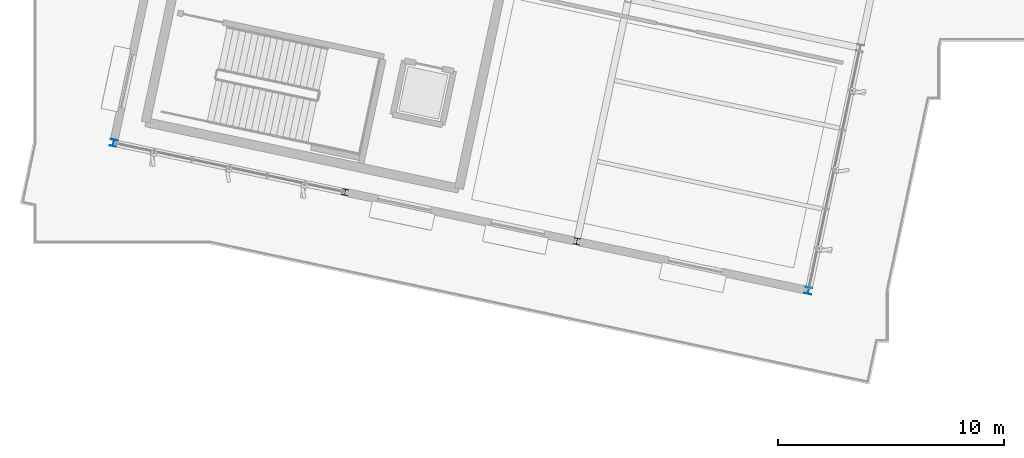
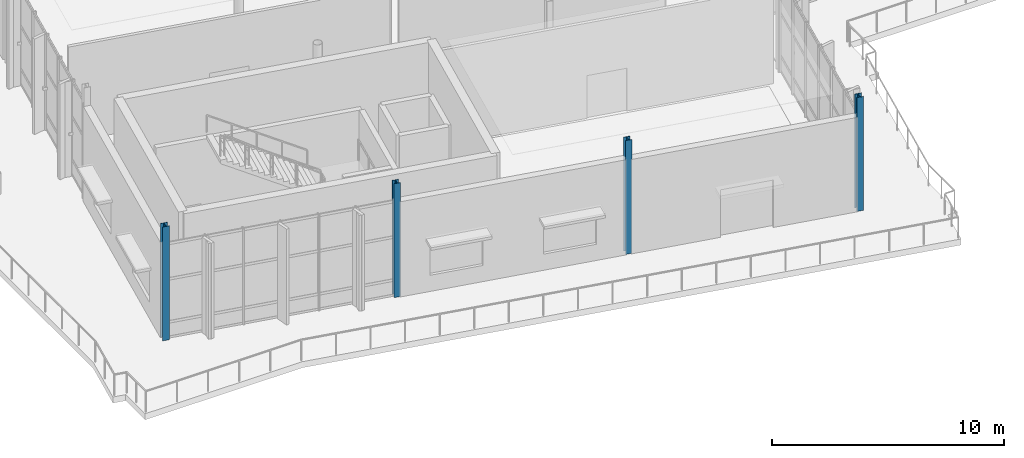
# One storey, part 2 of 163: 4 columns.
"""IFC4 building model written with IfcOpenShell, lengths in metres."""

from ifc_helpers import new_model, si_unit, direction, frame, origin, origin_2d, place, context, subcontext, project, spatial, i_section, extrude, material, material_profile, profile_set, type_object, element, save


model = new_model("IFC4")

# Units and contexts
model_context = context("Model", 3, precision=1e-05, world=origin(), true_north=direction((0.0, 1.0)))
body_context = subcontext(model_context, "Body", "Model", "MODEL_VIEW")
ifc_project = project(units=[si_unit("LENGTHUNIT", "METRE"), si_unit("AREAUNIT", "SQUARE_METRE"), si_unit("VOLUMEUNIT", "CUBIC_METRE"), si_unit("PLANEANGLEUNIT", "RADIAN"), si_unit("MASSUNIT", "GRAM", prefix="KILO")], contexts=[model_context])

# Site, building, storey
site_placement = place(None, origin())
site = spatial("IfcSite", under=ifc_project, at=site_placement, CompositionType="ELEMENT")
building_placement = place(site_placement, origin())
building = spatial("IfcBuilding", under=site, at=building_placement, Name="Khorjan Park Terminus", CompositionType="ELEMENT")
storey_placement = place(building_placement, origin())
storey = spatial("IfcBuildingStorey", under=building, at=storey_placement, Name="L00", CompositionType="ELEMENT", Elevation=0.0)

# Columns
ifc_material = material(Name="Steel S355", Category="steel")
ifc_material_profile_1 = material_profile(ifc_material, i_section(OverallWidth=0.28, OverallDepth=0.28, WebThickness=0.0105, FlangeThickness=0.018, FilletRadius=0.024, at=origin_2d()), Name="HEB 280")
ifc_profile_set_1 = profile_set([ifc_material_profile_1], Name="Steel S355")
column_type_1 = type_object("IfcColumnType", Name="COL-HB280E", PredefinedType="COLUMN", material=ifc_profile_set_1)
for number, where, z_axis, x_axis, name in (
    (1, (4.271, 39.817, 0.0), (0.0, 0.0, 1.0), (0.978147600734, -0.207911690818, 0.0), "Structural column SC-H28 (L00 #611)"),
    (2, (14.541, 37.634, 0.0), (0.0, 0.0, 1.0), (0.978147600734, -0.207911690818, 0.0), "Structural column SC-H28 (L00 #625)"),
):
    element("IfcColumn", number, at=place(storey_placement, frame(where, z_axis=z_axis, x_axis=x_axis)), inside=storey, type_object=column_type_1, Name=name, PredefinedType="COLUMN", context=body_context, shape_type="SweptSolid", body=[
        extrude(i_section(OverallWidth=0.28, OverallDepth=0.28, WebThickness=0.0105, FlangeThickness=0.018, FilletRadius=0.024, at=origin_2d()), origin(), (0.0, 0.0, 1.0), 6.0),
    ])
ifc_material_profile_2 = material_profile(ifc_material, i_section(OverallWidth=0.3, OverallDepth=0.3, WebThickness=0.011, FlangeThickness=0.019, FilletRadius=0.027, at=origin_2d()), Name="HEB 300")
ifc_profile_set_2 = profile_set([ifc_material_profile_2], Name="Steel S355")
column_type_2 = type_object("IfcColumnType", Name="COL-HB300E", PredefinedType="COLUMN", material=ifc_profile_set_2)
for number, where, z_axis, x_axis, name in (
    (3, (-6.0, 42.0, 0.0), (0.0, 0.0, 1.0), (0.978147600734, -0.207911690818, 0.0), "Structural column SC-H30 (L00 #597)"),
    (4, (24.812, 35.451, 0.0), (0.0, 0.0, 1.0), (0.978147600734, -0.207911690818, 0.0), "Structural column SC-H30 (L00 #639)"),
):
    element("IfcColumn", number, at=place(storey_placement, frame(where, z_axis=z_axis, x_axis=x_axis)), inside=storey, type_object=column_type_2, Name=name, PredefinedType="COLUMN", context=body_context, shape_type="SweptSolid", body=[
        extrude(i_section(OverallWidth=0.3, OverallDepth=0.3, WebThickness=0.011, FlangeThickness=0.019, FilletRadius=0.027, at=origin_2d()), origin(), (0.0, 0.0, 1.0), 6.0),
    ])

save(model, "model.ifc")
